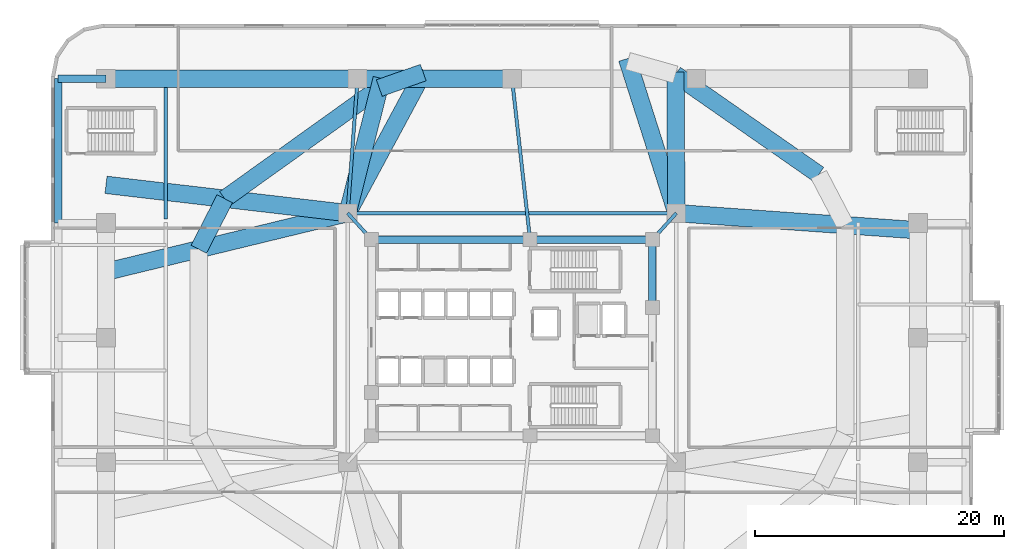
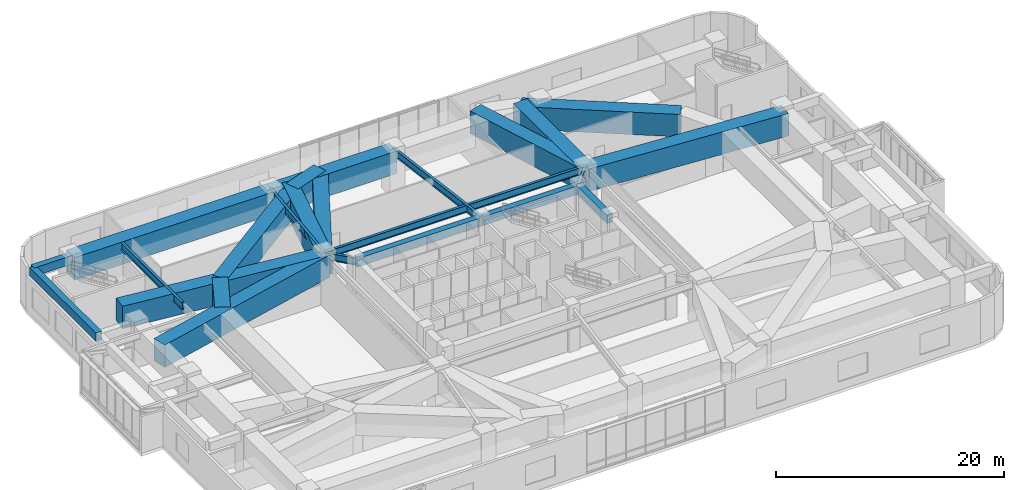
# One storey, part 8 of 26: 24 beams.
"""IFC4 building model written with IfcOpenShell, lengths in metres."""

from ifc_helpers import new_model, si_unit, direction, frame, origin, origin_2d, place, context, subcontext, project, spatial, rectangle, i_section, extrude, material, material_profile, profile_set, type_object, element, save


model = new_model("IFC4")

# Units and contexts
model_context = context("Model", 3, precision=1e-05, world=origin(), true_north=direction((0.0, 1.0)))
body_context = subcontext(model_context, "Body", "Model", "MODEL_VIEW")
ifc_project = project(units=[si_unit("LENGTHUNIT", "METRE"), si_unit("AREAUNIT", "SQUARE_METRE"), si_unit("VOLUMEUNIT", "CUBIC_METRE"), si_unit("PLANEANGLEUNIT", "RADIAN"), si_unit("MASSUNIT", "GRAM", prefix="KILO")], contexts=[model_context])

# Site, building, storey
site_placement = place(None, origin())
site = spatial("IfcSite", under=ifc_project, at=site_placement, CompositionType="ELEMENT")
building_placement = place(site_placement, origin())
building = spatial("IfcBuilding", under=site, at=building_placement, Name="Zulverin Broadcast Headquarters", CompositionType="ELEMENT")
storey_placement = place(building_placement, frame((0.0, 0.0, 20.0)))
storey = spatial("IfcBuildingStorey", under=building, at=storey_placement, Name="L04", CompositionType="ELEMENT", Elevation=20.0)

# Beams
ifc_material_1 = material(Name="Concrete C60/75", Category="concrete")
ifc_material_profile_1 = material_profile(ifc_material_1, rectangle(XDim=0.60009765625, YDim=0.89990234375, at=origin_2d()), Name="Concrete C60/75", Category="concrete")
ifc_profile_set_1 = profile_set([ifc_material_profile_1], Name="Concrete C60/75")
beam_type_1 = type_object("IfcBeamType", Name="BM-CB-600x900", PredefinedType="LINTEL", material=ifc_profile_set_1)
beam_1_placement = place(storey_placement, frame((48.27490234375, 27.6201171875, 4.14990234375), z_axis=(0.0, 1.0, 0.0), x_axis=(-1.0, 0.0, 0.0)))
element("IfcBeam", 1, at=beam_1_placement, inside=storey, type_object=beam_type_1, Name="L04 Core Coupling Girder K04-K05", PredefinedType="LINTEL", context=body_context, shape_type="SweptSolid", body=[
    extrude(rectangle(XDim=0.60009765625, YDim=0.89990234375, at=origin_2d()), origin(), (0.0, 0.0, 1.0), 5.454833984375),
])
beam_2_placement = place(storey_placement, frame((48.27490234375, 33.074951171875, 4.14990234375), z_axis=(-1.0, 0.0, 0.0), x_axis=(0.0, -1.0, 0.0)))
element("IfcBeam", 2, at=beam_2_placement, inside=storey, type_object=beam_type_1, Name="L04 Core Coupling Girder K05-K06", PredefinedType="LINTEL", context=body_context, shape_type="SweptSolid", body=[
    extrude(rectangle(XDim=0.60009765625, YDim=0.89990234375, at=origin_2d()), origin(), (0.0, 0.0, 1.0), 9.824951171875),
])
beam_3_placement = place(storey_placement, frame((38.449951171875, 33.074951171875, 4.14990234375), z_axis=(-1.0, 0.0, 0.0), x_axis=(0.0, -1.0, 0.0)))
element("IfcBeam", 3, at=beam_3_placement, inside=storey, type_object=beam_type_1, Name="L04 Core Coupling Girder K06-K07", PredefinedType="LINTEL", context=body_context, shape_type="SweptSolid", body=[
    extrude(rectangle(XDim=0.60009765625, YDim=0.89990234375, at=origin_2d()), origin(), (0.0, 0.0, 1.0), 12.724853515625),
])
ifc_material_2 = material(Name="Concrete C40/50", Category="concrete")
ifc_material_profile_2 = material_profile(ifc_material_2, rectangle(XDim=0.60009765625, YDim=0.89990234375, at=origin_2d()), Name="Concrete C40/50", Category="concrete")
ifc_profile_set_2 = profile_set([ifc_material_profile_2], Name="Concrete C40/50")
beam_type_2 = type_object("IfcBeamType", Name="BM-RC-600x900", PredefinedType="BEAM", material=ifc_profile_set_2)
beam_4_placement = place(storey_placement, frame((4.39990234375, 46.0, 4.14990234375), z_axis=(-1.0, 0.0, 0.0), x_axis=(0.0, -1.0, 0.0)))
element("IfcBeam", 4, at=beam_4_placement, inside=storey, type_object=beam_type_2, Name="L04 West Perimeter Bracket Girder WBR-4", PredefinedType="BEAM", context=body_context, shape_type="SweptSolid", body=[
    extrude(rectangle(XDim=0.60009765625, YDim=0.89990234375, at=origin_2d()), origin(), (0.0, 0.0, 1.0), 3.849853515625),
])
beam_5_placement = place(storey_placement, frame((0.550048828125, 34.39990234375, 4.14990234375), z_axis=(0.0, 1.0, 0.0), x_axis=(-1.0, 0.0, 0.0)))
element("IfcBeam", 5, at=beam_5_placement, inside=storey, type_object=beam_type_2, Name="L04 West Edge Spandrel Girder WEG-3", PredefinedType="BEAM", context=body_context, shape_type="SweptSolid", body=[
    extrude(rectangle(XDim=0.60009765625, YDim=0.89990234375, at=origin_2d()), origin(), (0.0, 0.0, 1.0), 11.60009765625),
])
ifc_material_profile_3 = material_profile(ifc_material_1, rectangle(XDim=1.39990234375, YDim=2.39990234375, at=origin_2d()), Name="Concrete C60/75", Category="concrete")
ifc_profile_set_3 = profile_set([ifc_material_profile_3], Name="Concrete C60/75")
beam_type_3 = type_object("IfcBeamType", Name="BM-TG-1400x2400", PredefinedType="USERDEFINED", material=ifc_profile_set_3)
beam_6_placement = place(storey_placement, frame((37.0, 46.0, 3.39990234375), z_axis=(-1.0, 0.0, 0.0), x_axis=(0.0, -1.0, 0.0)))
element("IfcBeam", 6, at=beam_6_placement, inside=storey, type_object=beam_type_3, Name="L04 Podium Transfer Ring Girder P08-P07", ObjectType="TRANSFER GIRDER", PredefinedType="USERDEFINED", context=body_context, shape_type="SweptSolid", body=[
    extrude(rectangle(XDim=1.39990234375, YDim=2.39990234375, at=origin_2d()), origin(), (0.0, 0.0, 1.0), 12.39990234375),
])
beam_7_placement = place(storey_placement, frame((24.60009765625, 46.0, 3.39990234375), z_axis=(-1.0, 0.0, 0.0), x_axis=(0.0, -1.0, 0.0)))
element("IfcBeam", 7, at=beam_7_placement, inside=storey, type_object=beam_type_3, Name="L04 Podium Transfer Ring Girder P07-P06", ObjectType="TRANSFER GIRDER", PredefinedType="USERDEFINED", context=body_context, shape_type="SweptSolid", body=[
    extrude(rectangle(XDim=1.39990234375, YDim=2.39990234375, at=origin_2d()), origin(), (0.0, 0.0, 1.0), 20.2001953125),
])
beam_8_placement = place(storey_placement, frame((50.199951171875, 35.199951171875, 3.39990234375), z_axis=(0.997474668232, -0.071023138729, 0.0), x_axis=(0.071023138729, 0.997474668232, 0.0)))
element("IfcBeam", 8, at=beam_8_placement, inside=storey, type_object=beam_type_3, Name="L05 Tower Base Continuous Transfer Girder TG-06", ObjectType="TRANSFER GIRDER", PredefinedType="USERDEFINED", context=body_context, shape_type="SweptSolid", body=[
    extrude(rectangle(XDim=1.39990234375, YDim=2.39990234375, at=origin_2d()), origin(), (0.0, 0.0, 1.0), 19.44921875),
])
beam_9_placement = place(storey_placement, frame((61.630126953125, 38.298583984375, 3.39990234375), z_axis=(-0.820183915206, 0.5720999434, 0.0), x_axis=(-0.5720999434, -0.820183915206, 0.0)))
element("IfcBeam", 9, at=beam_9_placement, inside=storey, type_object=beam_type_3, Name="L05 Tower Base Transfer Ring Girder TGR-07", ObjectType="TRANSFER GIRDER", PredefinedType="USERDEFINED", context=body_context, shape_type="SweptSolid", body=[
    extrude(rectangle(XDim=1.39990234375, YDim=2.39990234375, at=origin_2d()), origin(), (0.0, 0.0, 1.0), 14.03125),
])
beam_10_placement = place(storey_placement, frame((50.199951171875, 35.199951171875, 3.39990234375), z_axis=(-0.007027051606, 0.999975309968, 0.0), x_axis=(-0.999975309968, -0.007027051606, 0.0)))
element("IfcBeam", 10, at=beam_10_placement, inside=storey, type_object=beam_type_3, Name="L05 Tower Base Continuous Transfer Girder TG-08", ObjectType="TRANSFER GIRDER", PredefinedType="USERDEFINED", context=body_context, shape_type="SweptSolid", body=[
    extrude(rectangle(XDim=1.39990234375, YDim=2.39990234375, at=origin_2d()), origin(), (0.0, 0.0, 1.0), 11.326171875),
])
beam_11_placement = place(storey_placement, frame((50.199951171875, 35.199951171875, 3.39990234375), z_axis=(-0.304115506493, 0.952635165586, 0.0), x_axis=(-0.952635165586, -0.304115506493, 0.0)))
element("IfcBeam", 11, at=beam_11_placement, inside=storey, type_object=beam_type_3, Name="L05 Tower Base Continuous Transfer Girder TG-09", ObjectType="TRANSFER GIRDER", PredefinedType="USERDEFINED", context=body_context, shape_type="SweptSolid", body=[
    extrude(rectangle(XDim=1.39990234375, YDim=2.39990234375, at=origin_2d()), origin(), (0.0, 0.0, 1.0), 13.016357421875),
])
beam_12_placement = place(storey_placement, frame((23.800048828125, 35.199951171875, 3.39990234375), z_axis=(0.474018149934, 0.88051507286, 0.0), x_axis=(-0.88051507286, 0.474018149934, 0.0)))
element("IfcBeam", 12, at=beam_12_placement, inside=storey, type_object=beam_type_3, Name="L05 Tower Base Continuous Transfer Girder TG-10", ObjectType="TRANSFER GIRDER", PredefinedType="USERDEFINED", context=body_context, shape_type="SweptSolid", body=[
    extrude(rectangle(XDim=1.39990234375, YDim=2.39990234375, at=origin_2d()), origin(), (0.0, 0.0, 1.0), 13.01318359375),
])
beam_13_placement = place(storey_placement, frame((29.873779296875, 46.482177734375, 3.39990234375), z_axis=(-0.943135983398, -0.332407155189, 0.0), x_axis=(0.332407155189, -0.943135983398, 0.0)))
element("IfcBeam", 13, at=beam_13_placement, inside=storey, type_object=beam_type_3, Name="L05 Tower Base Transfer Ring Girder TGR-10", ObjectType="TRANSFER GIRDER", PredefinedType="USERDEFINED", context=body_context, shape_type="SweptSolid", body=[
    extrude(rectangle(XDim=1.39990234375, YDim=2.39990234375, at=origin_2d()), origin(), (0.0, 0.0, 1.0), 3.7421875),
])
beam_14_placement = place(storey_placement, frame((23.800048828125, 35.199951171875, 3.39990234375), z_axis=(0.245705201572, 0.969344600191, 0.0), x_axis=(-0.969344600191, 0.245705201572, 0.0)))
element("IfcBeam", 14, at=beam_14_placement, inside=storey, type_object=beam_type_3, Name="L05 Tower Base Continuous Transfer Girder TG-11", ObjectType="TRANSFER GIRDER", PredefinedType="USERDEFINED", context=body_context, shape_type="SweptSolid", body=[
    extrude(rectangle(XDim=1.39990234375, YDim=2.39990234375, at=origin_2d()), origin(), (0.0, 0.0, 1.0), 11.1416015625),
])
beam_15_placement = place(storey_placement, frame((26.344482421875, 45.23828125, 3.39990234375), z_axis=(-0.813109374453, -0.582110938891, 0.0), x_axis=(0.582110938891, -0.813109374453, 0.0)))
element("IfcBeam", 15, at=beam_15_placement, inside=storey, type_object=beam_type_3, Name="L05 Tower Base Transfer Ring Girder TGR-11", ObjectType="TRANSFER GIRDER", PredefinedType="USERDEFINED", context=body_context, shape_type="SweptSolid", body=[
    extrude(rectangle(XDim=1.39990234375, YDim=2.39990234375, at=origin_2d()), origin(), (0.0, 0.0, 1.0), 15.2626953125),
])
beam_16_placement = place(storey_placement, frame((23.800048828125, 35.199951171875, 3.39990234375), z_axis=(-0.993230994679, 0.116155891843, 0.0), x_axis=(-0.116155891843, -0.993230994679, 0.0)))
element("IfcBeam", 16, at=beam_16_placement, inside=storey, type_object=beam_type_3, Name="L05 Tower Base Continuous Transfer Girder TG-12", ObjectType="TRANSFER GIRDER", PredefinedType="USERDEFINED", context=body_context, shape_type="SweptSolid", body=[
    extrude(rectangle(XDim=1.39990234375, YDim=2.39990234375, at=origin_2d()), origin(), (0.0, 0.0, 1.0), 19.532470703125),
])
beam_17_placement = place(storey_placement, frame((13.934326171875, 36.353759765625, 3.39990234375), z_axis=(-0.457080631948, -0.889425261558, 0.0), x_axis=(0.889425261558, -0.457080631948, 0.0)))
element("IfcBeam", 17, at=beam_17_placement, inside=storey, type_object=beam_type_3, Name="L05 Tower Base Transfer Ring Girder TGR-12", ObjectType="TRANSFER GIRDER", PredefinedType="USERDEFINED", context=body_context, shape_type="SweptSolid", body=[
    extrude(rectangle(XDim=1.39990234375, YDim=2.39990234375, at=origin_2d()), origin(), (0.0, 0.0, 1.0), 4.559814453125),
])
beam_18_placement = place(storey_placement, frame((23.800048828125, 35.199951171875, 3.39990234375), z_axis=(-0.971759753357, -0.235972417361, 0.0), x_axis=(0.235972417361, -0.971759753357, 0.0)))
element("IfcBeam", 18, at=beam_18_placement, inside=storey, type_object=beam_type_3, Name="L05 Tower Base Continuous Transfer Girder TG-13", ObjectType="TRANSFER GIRDER", PredefinedType="USERDEFINED", context=body_context, shape_type="SweptSolid", body=[
    extrude(rectangle(XDim=1.39990234375, YDim=2.39990234375, at=origin_2d()), origin(), (0.0, 0.0, 1.0), 19.9638671875),
])
ifc_material_3 = material(Name="Structural steel S355JR", Category="steel")
ifc_material_profile_4 = material_profile(ifc_material_3, i_section(OverallWidth=0.26806640625, OverallDepth=0.769775390625, WebThickness=0.015625, FlangeThickness=0.025390625, at=origin_2d()), Name="Structural steel S355JR", Category="steel")
ifc_profile_set_4 = profile_set([ifc_material_profile_4], Name="Structural steel S355JR")
beam_type_4 = type_object("IfcBeamType", Name="BM-UB-762", PredefinedType="BEAM", material=ifc_profile_set_4)
for number, where, z_axis, x_axis, name in (
    (19, (50.199951171875, 35.199951171875, 4.215087890625), (-0.671379160881, -0.741114041383, 0.0), (0.741114041383, -0.671379160881, 0.0), "L04 Podium Primary Girder M03-K05"),
    (20, (23.800048828125, 35.199951171875, 4.215087890625), (0.671379160881, -0.741114041383, 0.0), (0.741114041383, 0.671379160881, 0.0), "L04 Podium Primary Girder M04-K07"),
):
    element("IfcBeam", number, at=place(storey_placement, frame(where, z_axis=z_axis, x_axis=x_axis)), inside=storey, type_object=beam_type_4, Name=name, PredefinedType="BEAM", context=body_context, shape_type="SweptSolid", body=[
        extrude(i_section(OverallWidth=0.26806640625, OverallDepth=0.769775390625, WebThickness=0.015625, FlangeThickness=0.025390625, at=origin_2d()), origin(), (0.0, 0.0, 1.0), 2.8671875),
    ])
beam_19_placement = place(storey_placement, frame((50.199951171875, 35.199951171875, 4.215087890625), z_axis=(-1.0, 0.0, 0.0), x_axis=(0.0, -1.0, 0.0)))
element("IfcBeam", 21, at=beam_19_placement, inside=storey, type_object=beam_type_4, Name="L04 Podium Primary Girder M03-M04", PredefinedType="BEAM", context=body_context, shape_type="SweptSolid", body=[
    extrude(i_section(OverallWidth=0.26806640625, OverallDepth=0.769775390625, WebThickness=0.015625, FlangeThickness=0.025390625, at=origin_2d()), origin(), (0.0, 0.0, 1.0), 26.39990234375),
])
beam_20_placement = place(storey_placement, frame((37.0, 46.0, 4.215087890625), z_axis=(0.111482194079, -0.993766431514, 0.0), x_axis=(0.993766431514, 0.111482194079, 0.0)))
element("IfcBeam", 22, at=beam_20_placement, inside=storey, type_object=beam_type_4, Name="L04 Podium Primary Girder P08-K06", PredefinedType="BEAM", context=body_context, shape_type="SweptSolid", body=[
    extrude(i_section(OverallWidth=0.26806640625, OverallDepth=0.769775390625, WebThickness=0.015625, FlangeThickness=0.025390625, at=origin_2d()), origin(), (0.0, 0.0, 1.0), 13.006103515625),
])
beam_21_placement = place(storey_placement, frame((24.60009765625, 46.0, 4.215087890625), z_axis=(-0.0738758375, -0.997267446894, 0.0), x_axis=(0.997267446894, -0.0738758375, 0.0)))
element("IfcBeam", 23, at=beam_21_placement, inside=storey, type_object=beam_type_4, Name="L04 Podium Primary Girder P07-M04", PredefinedType="BEAM", context=body_context, shape_type="SweptSolid", body=[
    extrude(i_section(OverallWidth=0.26806640625, OverallDepth=0.769775390625, WebThickness=0.015625, FlangeThickness=0.025390625, at=origin_2d()), origin(), (0.0, 0.0, 1.0), 10.82958984375),
])
beam_22_placement = place(storey_placement, frame((9.199951171875, 34.73193359375, 4.215087890625), z_axis=(0.0, 1.0, 0.0), x_axis=(-1.0, 0.0, 0.0)))
element("IfcBeam", 24, at=beam_22_placement, inside=storey, type_object=beam_type_4, Name="L04 West Back-Span Anchor Beam WSBA-2", PredefinedType="BEAM", context=body_context, shape_type="SweptSolid", body=[
    extrude(i_section(OverallWidth=0.26806640625, OverallDepth=0.769775390625, WebThickness=0.015625, FlangeThickness=0.025390625, at=origin_2d()), origin(), (0.0, 0.0, 1.0), 10.568115234375),
])

save(model, "model.ifc")
